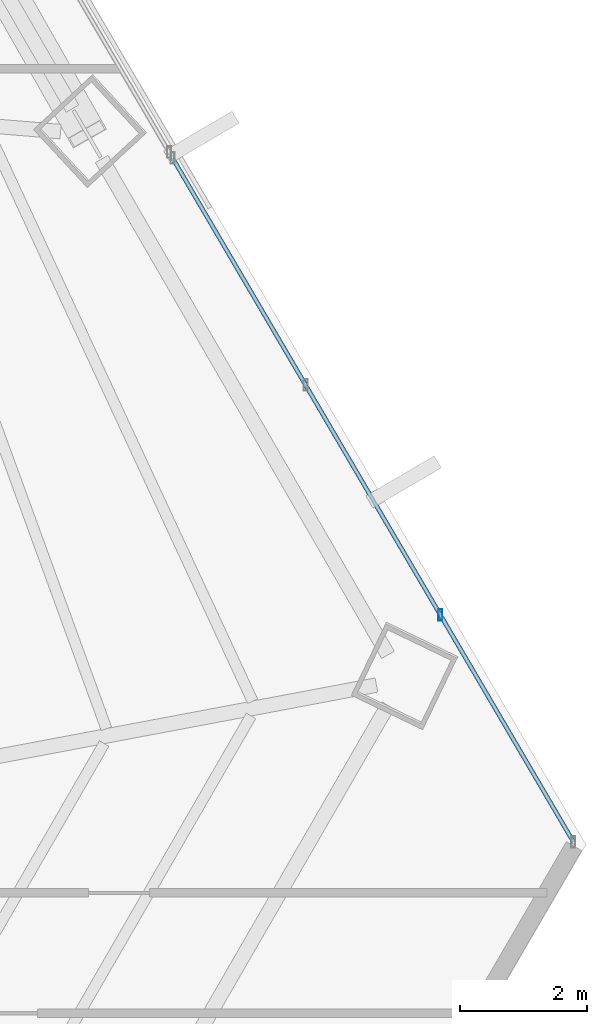
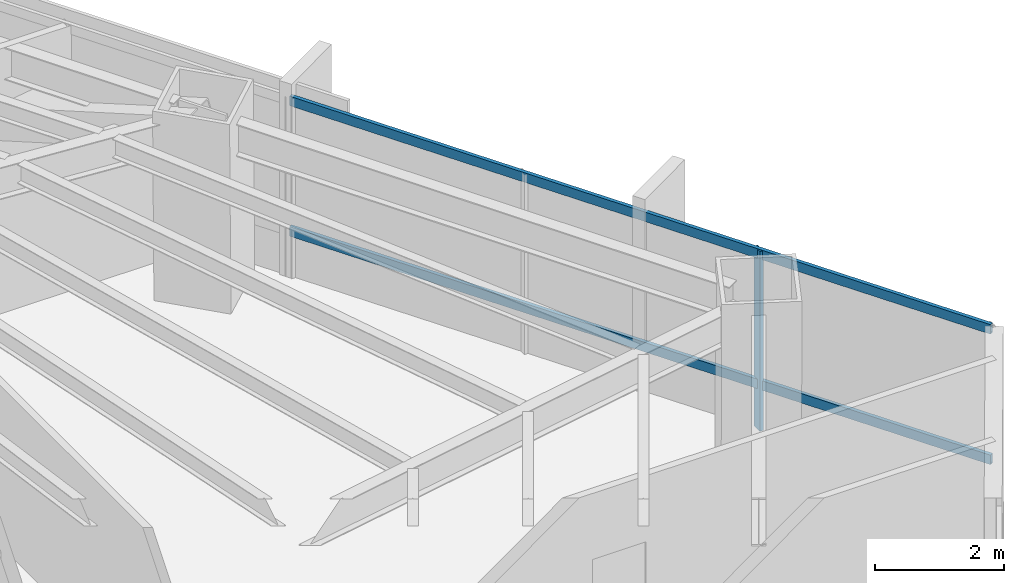
# One storey, part 25 of 37: 3 members, 1 element without a shape of its own.
"""IFC4 building model written with IfcOpenShell, lengths in metres."""

from ifc_helpers import new_model, si_unit, direction, frame, origin, origin_2d, place, context, subcontext, project, spatial, hollow_rectangle, extrude, source, transform, mapped, material, material_profile, profile_set, type_object, type_shapes, element, aggregate, save


model = new_model("IFC4")

# Units and contexts
model_context = context("Model", 3, precision=1e-05, world=origin(), true_north=direction((0.0, 1.0)))
body_context = subcontext(model_context, "Body", "Model", "MODEL_VIEW")
ifc_project = project(units=[si_unit("LENGTHUNIT", "METRE"), si_unit("AREAUNIT", "SQUARE_METRE"), si_unit("VOLUMEUNIT", "CUBIC_METRE"), si_unit("PLANEANGLEUNIT", "RADIAN"), si_unit("MASSUNIT", "GRAM", prefix="KILO")], contexts=[model_context])

# Site, building, storey
site_placement = place(None, origin())
site = spatial("IfcSite", under=ifc_project, at=site_placement, CompositionType="ELEMENT")
building_placement = place(site_placement, origin())
building = spatial("IfcBuilding", under=site, at=building_placement, Name="Caelisora Broadcast Tower", CompositionType="ELEMENT")
storey_placement = place(building_placement, frame((0.0, 0.0, 45.85009765625)))
storey = spatial("IfcBuildingStorey", under=building, at=storey_placement, Name="L11", CompositionType="ELEMENT", Elevation=45.85009765625)

# Curtain wall, members
ifc_material_1 = material(Name="Unitised Aluminium and Low-E Glass Curtain Wall", Category="glass")
curtain_wall_type = type_object("IfcCurtainWallType", Name="CW-Z1", PredefinedType="NOTDEFINED", material=ifc_material_1)
curtain_wall_placement = place(storey_placement, origin())
curtain_wall = element("IfcCurtainWall", 1, at=curtain_wall_placement, inside=storey, type_object=curtain_wall_type, Name="L11 curtain wall CW-Z1", PredefinedType="NOTDEFINED")
ifc_material_2 = material(Name="Aluminium 6063-T6 Anodised Terracotta Bronze", Category="aluminium")
ifc_material_profile_1 = material_profile(ifc_material_2, hollow_rectangle(XDim=0.06494140625, YDim=0.179931640625, WallThickness=0.00341796875, at=origin_2d()), Name="Aluminium 6063-T6 Anodised Terracotta Bronze")
ifc_profile_set_1 = profile_set([ifc_material_profile_1], Name="Aluminium 6063-T6 Anodised Terracotta Bronze")
member_type_1 = type_object("IfcMemberType", Name="CWM-02", PredefinedType="MULLION", material=ifc_profile_set_1)
shared_shape_1 = source(origin(), body_context, "Body", "SweptSolid", [
    extrude(hollow_rectangle(XDim=0.06494140625, YDim=0.179931640625, WallThickness=0.00341796875, at=origin_2d()), origin(), (0.0, 0.0, 1.0), 3.39990234375),
])
type_shapes(member_type_1, [shared_shape_1])
member_1_placement = place(storey_placement, frame((62.31201171875, 21.485595703125, 0.0), z_axis=(0.0, 0.0, 1.0), x_axis=(1.0, 0.0, 0.0)))
member_1 = element("IfcMember", 2, at=member_1_placement, type_object=member_type_1, Name="L11-CW-B03 mullion #2", PredefinedType="MULLION", context=body_context, shape_type="MappedRepresentation", body=[
    mapped(shared_shape_1, transform((0.0, 0.0, 0.0), scale=1.0)),
])
ifc_material_profile_2 = material_profile(ifc_material_2, hollow_rectangle(XDim=0.06494140625, YDim=0.179931640625, WallThickness=0.00341796875, at=origin_2d()), Name="Aluminium 6063-T6 Anodised Terracotta Bronze")
ifc_profile_set_2 = profile_set([ifc_material_profile_2], Name="Aluminium 6063-T6 Anodised Terracotta Bronze")
member_type_2 = type_object("IfcMemberType", Name="CWT-01", PredefinedType="USERDEFINED", material=ifc_profile_set_2)
shared_shape_2 = source(origin(), body_context, "Body", "SweptSolid", [
    extrude(hollow_rectangle(XDim=0.06494140625, YDim=0.179931640625, WallThickness=0.00341796875, at=origin_2d()), origin(), (0.0, 0.0, 1.0), 12.50048828125),
])
type_shapes(member_type_2, [shared_shape_2])
member_2_placement = place(storey_placement, frame((58.0888671875, 28.689208984375, 0.849853515625), z_axis=(0.505720502158, -0.862697382456, 0.0), x_axis=(0.862697382456, 0.505720502158, 0.0)))
member_2 = element("IfcMember", 3, at=member_2_placement, type_object=member_type_2, Name="L11-CW-B03 transom #1", ObjectType="TRANSOM", PredefinedType="USERDEFINED", context=body_context, shape_type="MappedRepresentation", body=[
    mapped(shared_shape_2, transform((0.0, 0.0, 0.0), scale=1.0)),
])
member_3_placement = place(storey_placement, frame((58.0888671875, 28.689208984375, 3.31982421875), z_axis=(0.505720502158, -0.862697382456, 0.0), x_axis=(0.862697382456, 0.505720502158, 0.0)))
member_3 = element("IfcMember", 4, at=member_3_placement, type_object=member_type_2, Name="L11-CW-B03 transom #2", ObjectType="TRANSOM", PredefinedType="USERDEFINED", context=body_context, shape_type="MappedRepresentation", body=[
    mapped(shared_shape_2, transform((0.0, 0.0, 0.0), scale=1.0)),
])
aggregate(curtain_wall, [member_1, member_2, member_3])

save(model, "model.ifc")
